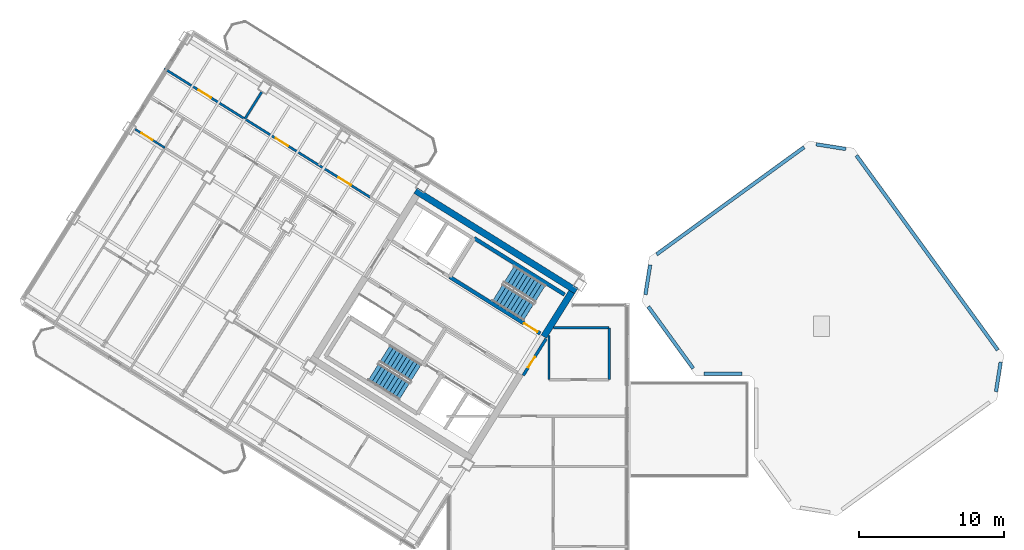
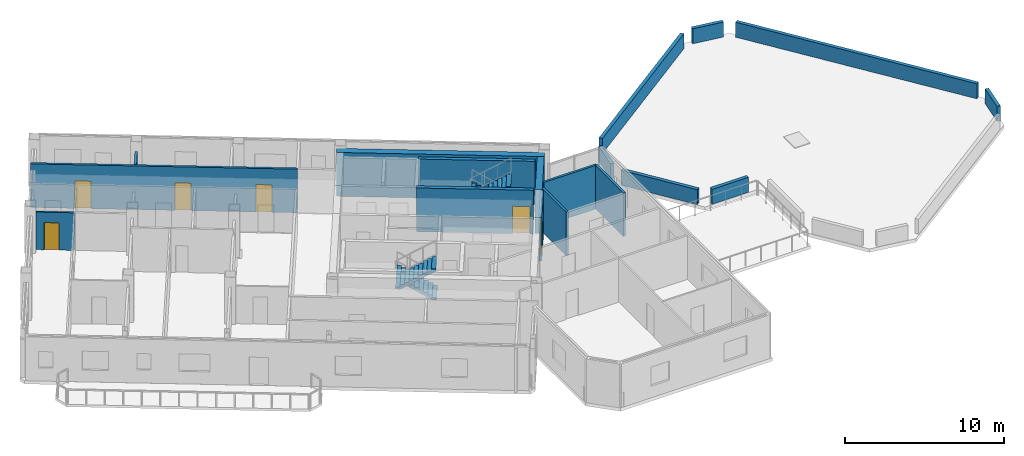
# One storey, part 8 of 14: 18 walls, 6 doors, 4 stair flights, 6 openings, 2 elements without a shape of their own.
"""IFC4 building model written with IfcOpenShell, lengths in metres."""

from ifc_helpers import new_model, si_unit, direction, frame, frame_2d, origin, place, context, subcontext, project, spatial, polyline, rectangle, outline, extrude, source, transform, mapped, material, layer, layer_set, type_object, element, fill, aggregate, save


model = new_model("IFC4")

# Units and contexts
model_context = context("Model", 3, precision=1e-05, world=origin(), true_north=direction((0.0, 1.0)))
body_context = subcontext(model_context, "Body", "Model", "MODEL_VIEW")
ifc_project = project(units=[si_unit("LENGTHUNIT", "METRE"), si_unit("AREAUNIT", "SQUARE_METRE"), si_unit("VOLUMEUNIT", "CUBIC_METRE"), si_unit("PLANEANGLEUNIT", "RADIAN"), si_unit("MASSUNIT", "GRAM", prefix="KILO")], contexts=[model_context])

# Site, building, storey
site_placement = place(None, origin())
site = spatial("IfcSite", under=ifc_project, at=site_placement, CompositionType="ELEMENT")
building_placement = place(site_placement, origin())
building = spatial("IfcBuilding", under=site, at=building_placement, Name="Tlacorven Tower", CompositionType="ELEMENT")
storey_placement = place(building_placement, frame((0.0, 0.0, 262.800048828125)))
storey = spatial("IfcBuildingStorey", under=building, at=storey_placement, Name="L66", CompositionType="ELEMENT", Elevation=262.800048828125)

# Walls
ifc_material_1 = material(Name="Concrete C50/60", Category="concrete")
ifc_layer_1 = layer(ifc_material_1, 0.449951171875)
ifc_layer_set_1 = layer_set([ifc_layer_1], Name="Concrete C50/60")
wall_type_1 = type_object("IfcWallType", Name="WL-COR-450", PredefinedType="SHEAR", material=ifc_layer_set_1)
wall_1_placement = place(storey_placement, frame((40.53076171875, 24.036376953125, 0.0), z_axis=(0.0, 0.0, 1.0), x_axis=(-0.848048787466, 0.529918157905, 0.0)))
element("IfcWall", 1, at=wall_1_placement, inside=storey, type_object=wall_type_1, Name="L66 W core shear wall S1", PredefinedType="SHEAR", context=body_context, shape_type="SweptSolid", body=[
    extrude(rectangle(XDim=13.0400390625, YDim=0.449951171875, at=frame_2d((6.52001953125, 0.0))), origin(), (0.0, 0.0, 1.0), 3.349853515625),
])
wall_2_placement = place(storey_placement, frame((40.220703125, 23.96484375, 0.0), z_axis=(0.0, 0.0, 1.0), x_axis=(-0.529902075036, -0.848058836916, 0.0)))
element("IfcWall", 2, at=wall_2_placement, inside=storey, type_object=wall_type_1, Name="L66 W core end wall E1.1", PredefinedType="SHEAR", context=body_context, shape_type="SweptSolid", body=[
    extrude(rectangle(XDim=3.625, YDim=0.449951171875, at=frame_2d((1.8125, 0.0))), origin(), (0.0, 0.0, 1.0), 3.349853515625),
])

# Wall, openings, doors
ifc_material_2 = material(Name="Gypsum plasterboard acoustic partition", Category="gypsum")
ifc_layer_2 = layer(ifc_material_2, 0.159912109375)
ifc_layer_set_2 = layer_set([ifc_layer_2], Name="Gypsum plasterboard acoustic partition")
wall_type_2 = type_object("IfcWallType", Name="WL-DEM-160", PredefinedType="PARTITIONING", material=ifc_layer_set_2)
wall_3_placement = place(storey_placement, frame((26.36328125, 30.471923828125, 0.0), z_axis=(0.0, 0.0, 1.0), x_axis=(-0.848052408131, 0.529912363569, 0.0)))
wall_3 = element("IfcWall", 3, at=wall_3_placement, inside=storey, type_object=wall_type_2, Name="L66 Wing W Corridor South Wall", PredefinedType="PARTITIONING", context=body_context, shape_type="SweptSolid", body=[
    extrude(rectangle(XDim=16.72998046875, YDim=0.159912109375, at=frame_2d((8.364990234375, 0.0))), origin(), (0.0, 0.0, 1.0), 3.33984375),
])
opening_1_placement = place(wall_3_placement, frame((1.58837890625, 0.0, 0.0)))
opening_1 = element("IfcOpeningElement", 4, at=opening_1_placement, cuts=wall_3, Name="Opening D11", PredefinedType="OPENING", context=body_context, shape_type="SweptSolid", body=[
    extrude(rectangle(XDim=1.0, YDim=2.10009765625, at=frame_2d((0.5, 1.050048828125))), frame((0.0, 0.08984375, 0.0), z_axis=(0.0, -1.0, 0.0), x_axis=(1.0, 0.0, 0.0)), (0.0, 0.0, 1.0), 0.179931640625),
])
opening_2_placement = place(wall_3_placement, frame((6.68505859375, 0.0, 0.0)))
opening_2 = element("IfcOpeningElement", 5, at=opening_2_placement, cuts=wall_3, Name="Opening D11", PredefinedType="OPENING", context=body_context, shape_type="SweptSolid", body=[
    extrude(rectangle(XDim=1.0, YDim=2.10009765625, at=frame_2d((0.5, 1.050048828125))), frame((0.0, 0.08984375, 0.0), z_axis=(0.0, -1.0, 0.0), x_axis=(1.0, 0.0, 0.0)), (0.0, 0.0, 1.0), 0.179931640625),
])
opening_3_placement = place(wall_3_placement, frame((12.951416015625, 0.0, 0.0)))
opening_3 = element("IfcOpeningElement", 6, at=opening_3_placement, cuts=wall_3, Name="Opening D11", PredefinedType="OPENING", context=body_context, shape_type="SweptSolid", body=[
    extrude(rectangle(XDim=1.0, YDim=2.10009765625, at=frame_2d((0.5, 1.050048828125))), frame((0.0, 0.08984375, 0.0), z_axis=(0.0, -1.0, 0.0), x_axis=(1.0, 0.0, 0.0)), (0.0, 0.0, 1.0), 0.179931640625),
])
ifc_material_3 = material(Name="Fire-rated steel door assembly", Category="steel")
door_type_1 = type_object("IfcDoorType", Name="DR-FLT-FD60-1000", OperationType="NOTDEFINED", PredefinedType="DOOR", material=ifc_material_3)
shared_shape_1 = source(origin(), body_context, "Body", "SweptSolid", [
    extrude(rectangle(XDim=1.0, YDim=2.10009765625, at=frame_2d((0.5, 1.050048828125))), frame((0.0, 0.02490234375, 0.0), z_axis=(0.0, -1.0, 0.0), x_axis=(1.0, 0.0, 0.0)), (0.0, 0.0, 1.0), 0.050048828125),
])
door_1_placement = place(opening_1_placement, frame((1.0, 0.0, 0.0), z_axis=(0.0, 0.0, 1.0), x_axis=(-1.0, 0.0, 0.0)))
door_1 = element("IfcDoor", 7, at=door_1_placement, inside=storey, type_object=door_type_1, Name="L66 door 024", OperationType="SINGLE_SWING_RIGHT", OverallHeight=2.10009765625, OverallWidth=1.0, PredefinedType="DOOR", context=body_context, shape_type="MappedRepresentation", body=[
    mapped(shared_shape_1, transform((0.0, 0.0, 0.0), scale=1.0)),
])
fill(opening_1, door_1)
door_2_placement = place(opening_2_placement, frame((1.0, 0.0, 0.0), z_axis=(0.0, 0.0, 1.0), x_axis=(-1.0, 0.0, 0.0)))
door_2 = element("IfcDoor", 8, at=door_2_placement, inside=storey, type_object=door_type_1, Name="L66 door 025", OperationType="SINGLE_SWING_LEFT", OverallHeight=2.10009765625, OverallWidth=1.0, PredefinedType="DOOR", context=body_context, shape_type="MappedRepresentation", body=[
    mapped(shared_shape_1, transform((0.0, 0.0, 0.0), scale=1.0)),
])
fill(opening_2, door_2)
door_3_placement = place(opening_3_placement, frame((1.0, 0.0, 0.0), z_axis=(0.0, 0.0, 1.0), x_axis=(-1.0, 0.0, 0.0)))
door_3 = element("IfcDoor", 9, at=door_3_placement, inside=storey, type_object=door_type_1, Name="L66 door 026", OperationType="SINGLE_SWING_RIGHT", OverallHeight=2.10009765625, OverallWidth=1.0, PredefinedType="DOOR", context=body_context, shape_type="MappedRepresentation", body=[
    mapped(shared_shape_1, transform((0.0, 0.0, 0.0), scale=1.0)),
])
fill(opening_3, door_3)

# Walls
wall_4_placement = place(storey_placement, frame((18.878662109375, 37.72900390625, 0.0), z_axis=(0.0, 0.0, 1.0), x_axis=(-0.52994879608, -0.848029641896, 0.0)))
element("IfcWall", 10, at=wall_4_placement, inside=storey, type_object=wall_type_2, Name="L66 partition 38", PredefinedType="PARTITIONING", context=body_context, shape_type="SweptSolid", body=[
    extrude(rectangle(XDim=2.188232421875, YDim=0.159912109375, at=frame_2d((1.09423828125, 0.0))), origin(), (0.0, 0.0, 1.0), 2.875),
])
wall_5_placement = place(storey_placement, frame((38.64990234375, 17.929931640625, 0.0), z_axis=(0.0, 0.0, 1.0), x_axis=(0.0, 1.0, 0.0)))
element("IfcWall", 11, at=wall_5_placement, inside=storey, type_object=wall_type_2, Name="L66 partition 46", PredefinedType="PARTITIONING", context=body_context, shape_type="SweptSolid", body=[
    extrude(rectangle(XDim=3.045654296875, YDim=0.159912109375, at=frame_2d((1.52294921875, 0.0))), origin(), (0.0, 0.0, 1.0), 3.33984375),
])
wall_6_placement = place(storey_placement, frame((42.800048828125, 17.929931640625, 0.0), z_axis=(0.0, 0.0, 1.0), x_axis=(0.0, 1.0, 0.0)))
element("IfcWall", 12, at=wall_6_placement, inside=storey, type_object=wall_type_2, Name="L66 partition 47", PredefinedType="PARTITIONING", context=body_context, shape_type="SweptSolid", body=[
    extrude(rectangle(XDim=3.570068359375, YDim=0.159912109375, at=frame_2d((1.78515625, 0.0))), origin(), (0.0, 0.0, 1.0), 3.33984375),
])
wall_7_placement = place(storey_placement, frame((38.9775390625, 21.5, 0.0), z_axis=(0.0, 0.0, 1.0), x_axis=(1.0, 0.0, 0.0)))
element("IfcWall", 13, at=wall_7_placement, inside=storey, type_object=wall_type_2, Name="L66 partition 48", PredefinedType="PARTITIONING", context=body_context, shape_type="SweptSolid", body=[
    extrude(rectangle(XDim=3.822509765625, YDim=0.159912109375, at=frame_2d((1.9111328125, 0.0))), origin(), (0.0, 0.0, 1.0), 3.33984375),
])
ifc_material_4 = material(Name="Precast concrete C45/55", Category="concrete")
ifc_layer_3 = layer(ifc_material_4, 0.239990234375)
ifc_layer_set_3 = layer_set([ifc_layer_3], Name="Precast concrete C45/55")
wall_type_3 = type_object("IfcWallType", Name="WL-PAR-240", PredefinedType="PARAPET", material=ifc_layer_set_3)
wall_8_placement = place(storey_placement, frame((51.943603515625, 18.330078125, 0.0), z_axis=(0.0, 0.0, 1.0), x_axis=(-1.0, 0.0, 0.0)))
element("IfcWall", 14, at=wall_8_placement, inside=storey, type_object=wall_type_3, Name="L66 East Wing Setback Parapet 2", PredefinedType="PARAPET", context=body_context, shape_type="SweptSolid", body=[
    extrude(rectangle(XDim=2.6298828125, YDim=0.239990234375, at=frame_2d((1.31494140625, 0.0))), origin(), (0.0, 0.0, 1.0), 1.14990234375),
])
wall_9_placement = place(storey_placement, frame((48.583251953125, 18.7021484375, 0.0), z_axis=(0.0, 0.0, 1.0), x_axis=(-0.587785144401, 0.809017072763, 0.0)))
element("IfcWall", 15, at=wall_9_placement, inside=storey, type_object=wall_type_3, Name="L66 East Wing Setback Parapet 3", PredefinedType="PARAPET", context=body_context, shape_type="SweptSolid", body=[
    extrude(rectangle(XDim=5.25830078125, YDim=0.239990234375, at=frame_2d((2.629150390625, 0.0))), origin(), (0.0, 0.0, 1.0), 1.14990234375),
])
wall_10_placement = place(storey_placement, frame((45.2939453125, 23.782958984375, 0.0), z_axis=(0.0, 0.0, 1.0), x_axis=(0.15650236763, 0.987677583489, 0.0)))
element("IfcWall", 16, at=wall_10_placement, inside=storey, type_object=wall_type_3, Name="L66 East Wing Setback Parapet 4", PredefinedType="PARAPET", context=body_context, shape_type="SweptSolid", body=[
    extrude(rectangle(XDim=2.06689453125, YDim=0.239990234375, at=frame_2d((1.033447265625, 0.0))), origin(), (0.0, 0.0, 1.0), 1.14990234375),
])
wall_11_placement = place(storey_placement, frame((46.0615234375, 26.549072265625, 0.0), z_axis=(0.0, 0.0, 1.0), x_axis=(0.809012633907, 0.587791253915, 0.0)))
element("IfcWall", 17, at=wall_11_placement, inside=storey, type_object=wall_type_3, Name="L66 East Wing Setback Parapet 5", PredefinedType="PARAPET", context=body_context, shape_type="SweptSolid", body=[
    extrude(rectangle(XDim=12.5556640625, YDim=0.239990234375, at=frame_2d((6.27783203125, 0.0))), origin(), (0.0, 0.0, 1.0), 1.14990234375),
])
wall_12_placement = place(storey_placement, frame((57.0458984375, 34.127685546875, 0.0), z_axis=(0.0, 0.0, 1.0), x_axis=(0.987677583489, -0.15650236763, 0.0)))
element("IfcWall", 18, at=wall_12_placement, inside=storey, type_object=wall_type_3, Name="L66 East Wing Setback Parapet 6", PredefinedType="PARAPET", context=body_context, shape_type="SweptSolid", body=[
    extrude(rectangle(XDim=2.06689453125, YDim=0.239990234375, at=frame_2d((1.033447265625, 0.0))), origin(), (0.0, 0.0, 1.0), 1.14990234375),
])
wall_13_placement = place(storey_placement, frame((59.81201171875, 33.360107421875, 0.0), z_axis=(0.0, 0.0, 1.0), x_axis=(0.587786703644, -0.809015939904, 0.0)))
element("IfcWall", 19, at=wall_13_placement, inside=storey, type_object=wall_type_3, Name="L66 East Wing Setback Parapet 7", PredefinedType="PARAPET", context=body_context, shape_type="SweptSolid", body=[
    extrude(rectangle(XDim=16.5556640625, YDim=0.239990234375, at=frame_2d((8.27783203125, 0.0))), origin(), (0.0, 0.0, 1.0), 1.14990234375),
])
wall_14_placement = place(storey_placement, frame((69.74169921875, 19.139892578125, 0.0), z_axis=(0.0, 0.0, 1.0), x_axis=(-0.156387142431, -0.987695834598, 0.0)))
element("IfcWall", 20, at=wall_14_placement, inside=storey, type_object=wall_type_3, Name="L66 East Wing Setback Parapet 8", PredefinedType="PARAPET", context=body_context, shape_type="SweptSolid", body=[
    extrude(rectangle(XDim=2.06689453125, YDim=0.239990234375, at=frame_2d((1.033447265625, 0.0))), origin(), (0.0, 0.0, 1.0), 1.14990234375),
])

# Wall, opening, door
ifc_material_5 = material(Name="Moisture-resistant gypsum plumbing wall", Category="gypsum")
ifc_layer_4 = layer(ifc_material_5, 0.139892578125)
ifc_layer_set_4 = layer_set([ifc_layer_4], Name="Moisture-resistant gypsum plumbing wall")
wall_type_4 = type_object("IfcWallType", Name="WL-PLM-140", PredefinedType="PLUMBINGWALL", material=ifc_layer_set_4)
wall_15_placement = place(storey_placement, frame((12.214111328125, 33.88916015625, 0.0), z_axis=(0.0, 0.0, 1.0), x_axis=(-0.848060696325, 0.529899099216, 0.0)))
wall_15 = element("IfcWall", 21, at=wall_15_placement, inside=storey, type_object=wall_type_4, Name="L66 partition 34", PredefinedType="PLUMBINGWALL", context=body_context, shape_type="SweptSolid", body=[
    extrude(rectangle(XDim=2.41796875, YDim=0.139892578125, at=frame_2d((1.208984375, 0.0))), origin(), (0.0, 0.0, 1.0), 2.875),
])
opening_4_placement = place(wall_15_placement, frame((0.989990234375, 0.0, 0.0)))
opening_4 = element("IfcOpeningElement", 22, at=opening_4_placement, cuts=wall_15, Name="Opening D12", PredefinedType="OPENING", context=body_context, shape_type="SweptSolid", body=[
    extrude(rectangle(XDim=0.919921875, YDim=2.080078125, at=frame_2d((0.4599609375, 1.0400390625))), frame((0.0, 0.080078125, 0.0), z_axis=(0.0, -1.0, 0.0), x_axis=(1.0, 0.0, 0.0)), (0.0, 0.0, 1.0), 0.159912109375),
])
ifc_material_6 = material(Name="Powder-coated aluminium and timber door", Category="wood")
door_type_2 = type_object("IfcDoorType", Name="DR-INT-ROOM-0920", OperationType="NOTDEFINED", PredefinedType="DOOR", material=ifc_material_6)
shared_shape_2 = source(origin(), body_context, "Body", "SweptSolid", [
    extrude(rectangle(XDim=0.919921875, YDim=2.080078125, at=frame_2d((0.4599609375, 1.0400390625))), frame((0.0, 0.02490234375, 0.0), z_axis=(0.0, -1.0, 0.0), x_axis=(1.0, 0.0, 0.0)), (0.0, 0.0, 1.0), 0.050048828125),
])
door_4_placement = place(opening_4_placement, origin())
door_4 = element("IfcDoor", 23, at=door_4_placement, inside=storey, type_object=door_type_2, Name="L66 door 020", OperationType="SINGLE_SWING_LEFT", OverallHeight=2.080078125, OverallWidth=0.919921875, PredefinedType="DOOR", context=body_context, shape_type="MappedRepresentation", body=[
    mapped(shared_shape_2, transform((0.0, 0.0, 0.0), scale=1.0)),
])
fill(opening_4, door_4)

ifc_material_7 = material(Name="Concrete C40/50", Category="concrete")
ifc_layer_5 = layer(ifc_material_7, 0.199951171875)
ifc_layer_set_5 = layer_set([ifc_layer_5], Name="Concrete C40/50")
wall_type_5 = type_object("IfcWallType", Name="WL-SHF-200", PredefinedType="STANDARD", material=ifc_layer_set_5)
wall_16_placement = place(storey_placement, frame((38.451416015625, 20.737060546875, 0.0), z_axis=(0.0, 0.0, 1.0), x_axis=(-0.529924799939, -0.848044637038, 0.0)))
wall_16 = element("IfcWall", 24, at=wall_16_placement, inside=storey, type_object=wall_type_5, Name="L66 partition 43", PredefinedType="STANDARD", context=body_context, shape_type="SweptSolid", body=[
    extrude(rectangle(XDim=2.9599609375, YDim=0.199951171875, at=frame_2d((1.47998046875, 0.0))), origin(), (0.0, 0.0, 1.0), 3.33984375),
])
opening_5_placement = place(wall_16_placement, frame((1.4599609375, 0.0, 0.0)))
opening_5 = element("IfcOpeningElement", 25, at=opening_5_placement, cuts=wall_16, Name="Opening D19", PredefinedType="OPENING", context=body_context, shape_type="SweptSolid", body=[
    extrude(rectangle(XDim=0.860107421875, YDim=2.050048828125, at=frame_2d((0.43017578125, 1.02490234375))), frame((0.0, 0.10986328125, 0.0), z_axis=(0.0, -1.0, 0.0), x_axis=(1.0, 0.0, 0.0)), (0.0, 0.0, 1.0), 0.219970703125),
])
door_type_3 = type_object("IfcDoorType", Name="DR-RSR-FD60-0860", OperationType="NOTDEFINED", PredefinedType="DOOR", material=ifc_material_3)
shared_shape_3 = source(origin(), body_context, "Body", "SweptSolid", [
    extrude(rectangle(XDim=0.860107421875, YDim=2.050048828125, at=frame_2d((0.43017578125, 1.02490234375))), frame((0.0, 0.02490234375, 0.0), z_axis=(0.0, -1.0, 0.0), x_axis=(1.0, 0.0, 0.0)), (0.0, 0.0, 1.0), 0.050048828125),
])
door_5_placement = place(opening_5_placement, frame((0.860107421875, 0.0, 0.0), z_axis=(0.0, 0.0, 1.0), x_axis=(-1.0, 0.0, 0.0)))
door_5 = element("IfcDoor", 26, at=door_5_placement, inside=storey, type_object=door_type_3, Name="L66 door 031", OperationType="SINGLE_SWING_LEFT", OverallHeight=2.050048828125, OverallWidth=0.860107421875, PredefinedType="DOOR", context=body_context, shape_type="MappedRepresentation", body=[
    mapped(shared_shape_3, transform((0.0, 0.0, 0.0), scale=1.0)),
])
fill(opening_5, door_5)

# Wall
ifc_layer_6 = layer(ifc_material_1, 0.260009765625)
ifc_layer_set_6 = layer_set([ifc_layer_6], Name="Concrete C50/60")
wall_type_6 = type_object("IfcWallType", Name="WL-STW-260", PredefinedType="SHEAR", material=ifc_layer_set_6)
wall_17_placement = place(storey_placement, frame((39.720947265625, 23.787841796875, 0.0), z_axis=(0.0, 0.0, 1.0), x_axis=(-0.848054434086, 0.529909121291, 0.0)))
element("IfcWall", 27, at=wall_17_placement, inside=storey, type_object=wall_type_6, Name="L66 Stair W2 Far Shear Wall", PredefinedType="SHEAR", context=body_context, shape_type="SweptSolid", body=[
    extrude(rectangle(XDim=7.330078125, YDim=0.260009765625, at=frame_2d((3.6650390625, 0.0))), origin(), (0.0, 0.0, 1.0), 3.349853515625),
])

# Wall, opening, door
wall_18_placement = place(storey_placement, frame((38.04638671875, 21.10791015625, 0.0), z_axis=(0.0, 0.0, 1.0), x_axis=(-0.848054434086, 0.529909121291, 0.0)))
wall_18 = element("IfcWall", 28, at=wall_18_placement, inside=storey, type_object=wall_type_6, Name="L66 Stair W2 Lobby Shear Wall", PredefinedType="SHEAR", context=body_context, shape_type="SweptSolid", body=[
    extrude(rectangle(XDim=7.330078125, YDim=0.260009765625, at=frame_2d((3.6650390625, 0.0))), origin(), (0.0, 0.0, 1.0), 3.349853515625),
])
opening_6_placement = place(wall_18_placement, frame((0.219970703125, 0.0, 0.0)))
opening_6 = element("IfcOpeningElement", 29, at=opening_6_placement, cuts=wall_18, Name="Opening D07", PredefinedType="OPENING", context=body_context, shape_type="SweptSolid", body=[
    extrude(rectangle(XDim=1.10009765625, YDim=2.10009765625, at=frame_2d((0.550048828125, 1.050048828125))), frame((0.0, 0.14013671875, 0.0), z_axis=(0.0, -1.0, 0.0), x_axis=(1.0, 0.0, 0.0)), (0.0, 0.0, 1.0), 0.280029296875),
])
door_type_4 = type_object("IfcDoorType", Name="DR-STR-FD90-1100", OperationType="NOTDEFINED", PredefinedType="DOOR", material=ifc_material_3)
shared_shape_4 = source(origin(), body_context, "Body", "SweptSolid", [
    extrude(rectangle(XDim=1.10009765625, YDim=2.10009765625, at=frame_2d((0.550048828125, 1.050048828125))), frame((0.0, 0.02490234375, 0.0), z_axis=(0.0, -1.0, 0.0), x_axis=(1.0, 0.0, 0.0)), (0.0, 0.0, 1.0), 0.050048828125),
])
door_6_placement = place(opening_6_placement, origin())
door_6 = element("IfcDoor", 30, at=door_6_placement, inside=storey, type_object=door_type_4, Name="L66 Exit Stair W2 Fire Door", OperationType="SINGLE_SWING_LEFT", OverallHeight=2.10009765625, OverallWidth=1.10009765625, PredefinedType="DOOR", context=body_context, shape_type="MappedRepresentation", body=[
    mapped(shared_shape_4, transform((0.0, 0.0, 0.0), scale=1.0)),
])
fill(opening_6, door_6)

# Stair, stair flights
stair_type = type_object("IfcStairType", Name="ST-CORE-DLG", PredefinedType="HALF_TURN_STAIR", material=ifc_material_7)
stair_1_placement = place(storey_placement, origin())
stair_1 = element("IfcStair", 31, at=stair_1_placement, inside=storey, type_object=stair_type, Name="L66 Protected Exit Stair West 1", PredefinedType="HALF_TURN_STAIR")
stair_flight_type = type_object("IfcStairFlightType", Name="SFL-RC-1380", PredefinedType="STRAIGHT", material=ifc_material_7)
shared_shape_5 = source(origin(), body_context, "Body", "SweptSolid", [
    extrude(outline(polyline([(-0.0029296875, -0.0029296875), (-0.0029296875, 0.179931640625), (0.280029296875, 0.179931640625), (0.280029296875, 0.360107421875), (0.56005859375, 0.360107421875), (0.56005859375, 0.5400390625), (0.840087890625, 0.5400390625), (0.840087890625, 0.719970703125), (1.1201171875, 0.719970703125), (1.1201171875, 0.89990234375), (1.39990234375, 0.89990234375), (1.39990234375, 1.080078125), (1.679931640625, 1.080078125), (1.679931640625, 1.260009765625), (1.9599609375, 1.260009765625), (1.9599609375, 1.43994140625), (2.239990234375, 1.43994140625), (2.239990234375, 1.6201171875), (2.52001953125, 1.6201171875), (2.52001953125, 1.800048828125), (2.52294921875, 1.800048828125), (2.52294921875, 1.429931640625), (2.52001953125, 1.429931640625), (0.295654296875, 0.0), (0.295654296875, -0.0029296875), (-0.0029296875, -0.0029296875)])), frame((0.0, 0.68994140625, 0.0), z_axis=(0.0, -1.0, 0.0), x_axis=(1.0, 0.0, 0.0)), (0.0, 0.0, 1.0), 1.3798828125),
])
stair_flight_1_placement = place(storey_placement, frame((29.499755859375, 18.39453125, 0.0), z_axis=(0.0, 0.0, 1.0), x_axis=(-0.848048096156, 0.529919264233, 0.0)))
stair_flight_1 = element("IfcStairFlight", 32, at=stair_flight_1_placement, type_object=stair_flight_type, Name="ST-W1 flight 1", NumberOfRisers=10, NumberOfTreads=9, PredefinedType="STRAIGHT", RiserHeight=0.18, TreadLength=0.28, context=body_context, shape_type="MappedRepresentation", body=[
    mapped(shared_shape_5, transform((0.0, 0.0, 0.0), scale=1.0)),
])
stair_flight_2_placement = place(storey_placement, frame((26.56787109375, 18.4580078125, 1.800048828125), z_axis=(0.0, 0.0, 1.0), x_axis=(0.848048096156, -0.529919264233, 0.0)))
stair_flight_2 = element("IfcStairFlight", 33, at=stair_flight_2_placement, type_object=stair_flight_type, Name="ST-W1 flight 2", NumberOfRisers=10, NumberOfTreads=9, PredefinedType="STRAIGHT", RiserHeight=0.18, TreadLength=0.28, context=body_context, shape_type="MappedRepresentation", body=[
    mapped(shared_shape_5, transform((0.0, 0.0, 0.0), scale=1.0)),
])
aggregate(stair_1, [stair_flight_1, stair_flight_2])

stair_2_placement = place(storey_placement, origin())
stair_2 = element("IfcStair", 34, at=stair_2_placement, inside=storey, type_object=stair_type, Name="L66 Protected Exit Stair West 2", PredefinedType="HALF_TURN_STAIR")
stair_flight_3_placement = place(storey_placement, frame((38.051513671875, 23.852294921875, 0.0), z_axis=(0.0, 0.0, 1.0), x_axis=(-0.848048096156, 0.529919264233, 0.0)))
stair_flight_3 = element("IfcStairFlight", 35, at=stair_flight_3_placement, type_object=stair_flight_type, Name="ST-W2 flight 1", NumberOfRisers=10, NumberOfTreads=9, PredefinedType="STRAIGHT", RiserHeight=0.18, TreadLength=0.28, context=body_context, shape_type="MappedRepresentation", body=[
    mapped(shared_shape_5, transform((0.0, 0.0, 0.0), scale=1.0)),
])
stair_flight_4_placement = place(storey_placement, frame((35.119384765625, 23.91552734375, 1.800048828125), z_axis=(0.0, 0.0, 1.0), x_axis=(0.848048096156, -0.529919264233, 0.0)))
stair_flight_4 = element("IfcStairFlight", 36, at=stair_flight_4_placement, type_object=stair_flight_type, Name="ST-W2 flight 2", NumberOfRisers=10, NumberOfTreads=9, PredefinedType="STRAIGHT", RiserHeight=0.18, TreadLength=0.28, context=body_context, shape_type="MappedRepresentation", body=[
    mapped(shared_shape_5, transform((0.0, 0.0, 0.0), scale=1.0)),
])
aggregate(stair_2, [stair_flight_3, stair_flight_4])

save(model, "model.ifc")
